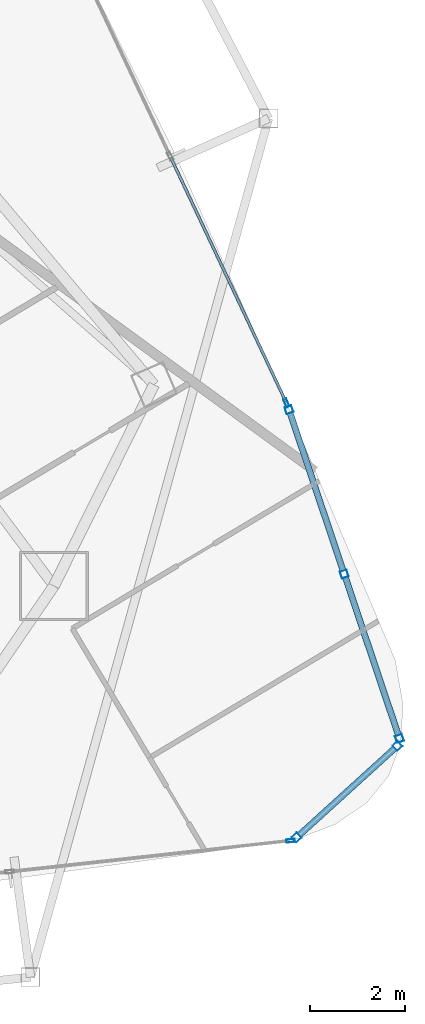
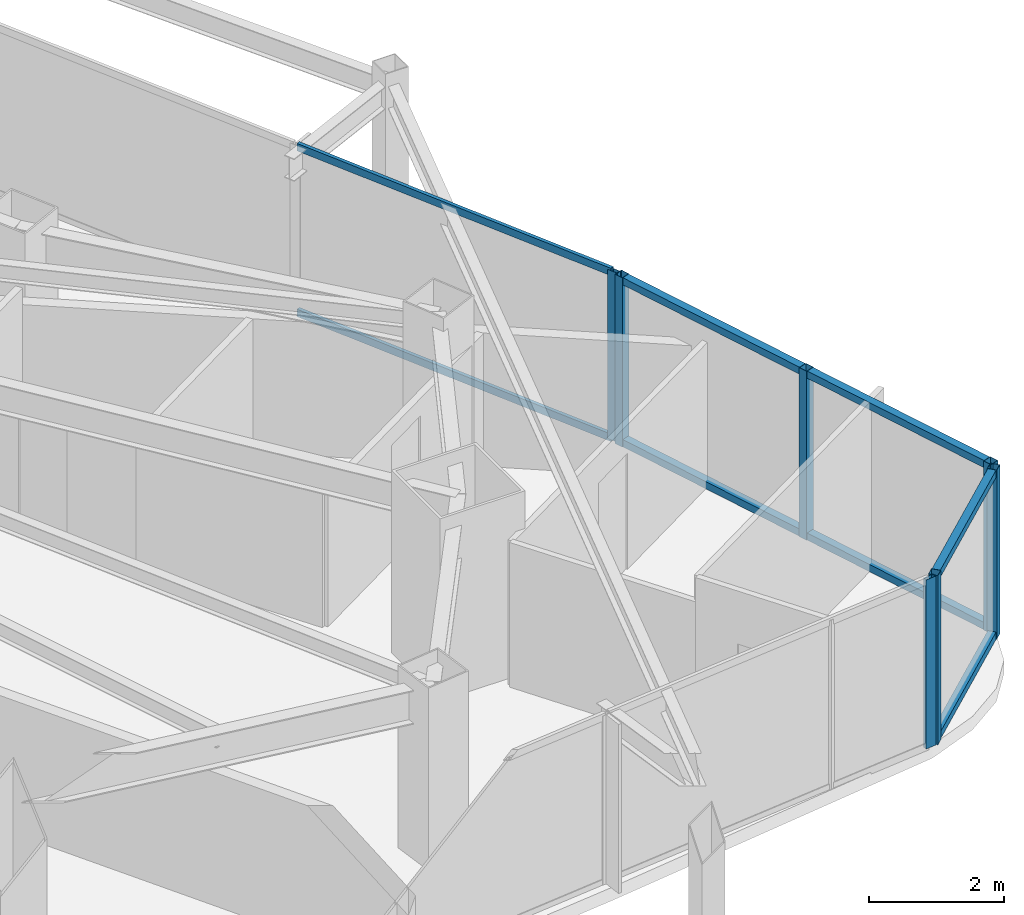
# One storey, part 14 of 33: 15 members, 4 elements without a shape of their own.
"""IFC4 building model written with IfcOpenShell, lengths in metres."""

from ifc_helpers import new_model, si_unit, direction, frame, origin, origin_2d, place, context, subcontext, project, spatial, hollow_rectangle, extrude, material, layer, layer_set, material_profile, profile_set, type_object, element, aggregate, save


model = new_model("IFC4")

# Units and contexts
model_context = context("Model", 3, precision=1e-05, world=origin(), true_north=direction((0.0, 1.0)))
body_context = subcontext(model_context, "Body", "Model", "MODEL_VIEW")
ifc_project = project(units=[si_unit("LENGTHUNIT", "METRE"), si_unit("AREAUNIT", "SQUARE_METRE"), si_unit("VOLUMEUNIT", "CUBIC_METRE"), si_unit("PLANEANGLEUNIT", "RADIAN"), si_unit("MASSUNIT", "GRAM", prefix="KILO")], contexts=[model_context])

# Site, building, storey
site_placement = place(None, origin())
site = spatial("IfcSite", under=ifc_project, at=site_placement, CompositionType="ELEMENT")
building_placement = place(site_placement, origin())
building = spatial("IfcBuilding", under=site, at=building_placement, Name="Orvanel Arch Residences", CompositionType="ELEMENT")
storey_placement = place(building_placement, frame((0.0, 0.0, 116.60009765625)))
storey = spatial("IfcBuildingStorey", under=building, at=storey_placement, Name="L32", CompositionType="ELEMENT", Elevation=116.60009765625)

# Curtain wall, members
ifc_material = material(Name="Bronze-anodised aluminium AA6063-T6", Category="aluminium")
ifc_layer_1 = layer(ifc_material, 0.18994140625)
ifc_layer_set_1 = layer_set([ifc_layer_1], Name="Bronze-anodised aluminium AA6063-T6")
curtain_wall_type_1 = type_object("IfcCurtainWallType", Name="CW5-CRN-SYS", PredefinedType="NOTDEFINED", material=ifc_layer_set_1)
curtain_wall_1_placement = place(storey_placement, origin())
curtain_wall_1 = element("IfcCurtainWall", 1, at=curtain_wall_1_placement, inside=storey, type_object=curtain_wall_type_1, Name="L32 CW5-CRN-SYS Unitised Curtain Wall", PredefinedType="NOTDEFINED")
ifc_material_profile_1 = material_profile(ifc_material, hollow_rectangle(XDim=0.14990234375, YDim=0.14990234375, WallThickness=0.0048828125, at=origin_2d()), Name="ALU150x150x5")
ifc_profile_set_1 = profile_set([ifc_material_profile_1], Name="Bronze-anodised aluminium AA6063-T6")
member_type_1 = type_object("IfcMemberType", Name="MUL-150x150", PredefinedType="MULLION", material=ifc_profile_set_1)
member_1_placement = place(storey_placement, frame((56.905517578125, 5.0634765625, 0.0), z_axis=(0.0, 0.0, 1.0), x_axis=(-0.672474713141, 0.740120098488, 0.0)))
member_1 = element("IfcMember", 2, at=member_1_placement, type_object=member_type_1, Name="CW-S5 mullion 1", PredefinedType="MULLION", context=body_context, shape_type="SweptSolid", body=[
    extrude(hollow_rectangle(XDim=0.14990234375, YDim=0.14990234375, WallThickness=0.0048828125, at=origin_2d()), origin(), (0.0, 0.0, 1.0), 3.059814453125),
])
member_2_placement = place(storey_placement, frame((59.026611328125, 6.990478515625, 0.0), z_axis=(0.0, 0.0, 1.0), x_axis=(-0.672474713141, 0.740120098488, 0.0)))
member_2 = element("IfcMember", 3, at=member_2_placement, type_object=member_type_1, Name="CW-S5 mullion 2", PredefinedType="MULLION", context=body_context, shape_type="SweptSolid", body=[
    extrude(hollow_rectangle(XDim=0.14990234375, YDim=0.14990234375, WallThickness=0.0048828125, at=origin_2d()), origin(), (0.0, 0.0, 1.0), 3.059814453125),
])

curtain_wall_2_placement = place(storey_placement, origin())
curtain_wall_2 = element("IfcCurtainWall", 4, at=curtain_wall_2_placement, inside=storey, type_object=curtain_wall_type_1, Name="L32 CW5-CRN-SYS Unitised Curtain Wall", PredefinedType="NOTDEFINED")
member_3_placement = place(storey_placement, frame((59.067138671875, 7.14404296875, 0.0), z_axis=(0.0, 0.0, 1.0), x_axis=(-0.947955325497, -0.318403361888, 0.0)))
member_3 = element("IfcMember", 5, at=member_3_placement, type_object=member_type_1, Name="CW-S5 mullion 1", PredefinedType="MULLION", context=body_context, shape_type="SweptSolid", body=[
    extrude(hollow_rectangle(XDim=0.14990234375, YDim=0.14990234375, WallThickness=0.0048828125, at=origin_2d()), origin(), (0.0, 0.0, 1.0), 3.059814453125),
])
member_4_placement = place(storey_placement, frame((57.906005859375, 10.60107421875, 0.0), z_axis=(0.0, 0.0, 1.0), x_axis=(-0.947955325497, -0.318403361888, 0.0)))
member_4 = element("IfcMember", 6, at=member_4_placement, type_object=member_type_1, Name="CW-S5 mullion 2", PredefinedType="MULLION", context=body_context, shape_type="SweptSolid", body=[
    extrude(hollow_rectangle(XDim=0.14990234375, YDim=0.14990234375, WallThickness=0.0048828125, at=origin_2d()), origin(), (0.0, 0.0, 1.0), 3.059814453125),
])
member_5_placement = place(storey_placement, frame((56.744873046875, 14.057861328125, 0.0), z_axis=(0.0, 0.0, 1.0), x_axis=(-0.947955325497, -0.318403361888, 0.0)))
member_5 = element("IfcMember", 7, at=member_5_placement, type_object=member_type_1, Name="CW-S5 mullion 3", PredefinedType="MULLION", context=body_context, shape_type="SweptSolid", body=[
    extrude(hollow_rectangle(XDim=0.14990234375, YDim=0.14990234375, WallThickness=0.0048828125, at=origin_2d()), origin(), (0.0, 0.0, 1.0), 3.059814453125),
])

# Curtain wall, member
ifc_layer_2 = layer(ifc_material, 0.179931640625)
ifc_layer_set_2 = layer_set([ifc_layer_2], Name="Bronze-anodised aluminium AA6063-T6")
curtain_wall_type_2 = type_object("IfcCurtainWallType", Name="CW3-MID-SYS", PredefinedType="NOTDEFINED", material=ifc_layer_set_2)
curtain_wall_3_placement = place(storey_placement, origin())
curtain_wall_3 = element("IfcCurtainWall", 8, at=curtain_wall_3_placement, inside=storey, type_object=curtain_wall_type_2, Name="L32 CW3-MID-SYS Unitised Curtain Wall", PredefinedType="NOTDEFINED")
ifc_material_profile_2 = material_profile(ifc_material, hollow_rectangle(XDim=0.070068359375, YDim=0.179931640625, WallThickness=0.00439453125, at=origin_2d()), Name="ALU180x70x4.5")
ifc_profile_set_2 = profile_set([ifc_material_profile_2], Name="Bronze-anodised aluminium AA6063-T6")
member_type_2 = type_object("IfcMemberType", Name="MUL-180x70", PredefinedType="MULLION", material=ifc_profile_set_2)
member_6_placement = place(storey_placement, frame((56.7802734375, 4.994140625, 0.0), z_axis=(0.0, 0.0, 1.0), x_axis=(-0.109397745116, 0.99399805501, 0.0)))
member_6 = element("IfcMember", 9, at=member_6_placement, type_object=member_type_2, Name="CW-S3 mullion 4", PredefinedType="MULLION", context=body_context, shape_type="SweptSolid", body=[
    extrude(hollow_rectangle(XDim=0.070068359375, YDim=0.179931640625, WallThickness=0.00439453125, at=origin_2d()), origin(), (0.0, 0.0, 1.0), 3.059814453125),
])
aggregate(curtain_wall_3, [member_6])

curtain_wall_4_placement = place(storey_placement, origin())
curtain_wall_4 = element("IfcCurtainWall", 10, at=curtain_wall_4_placement, inside=storey, type_object=curtain_wall_type_2, Name="L32 CW3-MID-SYS Unitised Curtain Wall", PredefinedType="NOTDEFINED")
member_7_placement = place(storey_placement, frame((56.691162109375, 14.19775390625, 0.0), z_axis=(0.0, 0.0, 1.0), x_axis=(-0.904551426474, -0.426364535184, 0.0)))
member_7 = element("IfcMember", 11, at=member_7_placement, type_object=member_type_2, Name="CW-S3 mullion 1", PredefinedType="MULLION", context=body_context, shape_type="SweptSolid", body=[
    extrude(hollow_rectangle(XDim=0.070068359375, YDim=0.179931640625, WallThickness=0.00439453125, at=origin_2d()), origin(), (0.0, 0.0, 1.0), 3.059814453125),
])

# Member
ifc_material_profile_3 = material_profile(ifc_material, hollow_rectangle(XDim=0.1298828125, YDim=0.1298828125, WallThickness=0.00439453125, at=origin_2d()), Name="ALU130x130x4.5")
ifc_profile_set_3 = profile_set([ifc_material_profile_3], Name="Bronze-anodised aluminium AA6063-T6")
member_type_3 = type_object("IfcMemberType", Name="TRN-130x130", PredefinedType="USERDEFINED", material=ifc_profile_set_3)
member_8_placement = place(storey_placement, frame((56.9609375, 5.11376953125, 0.06494140625), z_axis=(0.740098689588, 0.672498274846, 0.0), x_axis=(-0.672498274846, 0.740098689588, 0.0)))
member_8 = element("IfcMember", 12, at=member_8_placement, type_object=member_type_3, Name="CW-S5 transom 1.1", ObjectType="TRANSOM", PredefinedType="USERDEFINED", context=body_context, shape_type="SweptSolid", body=[
    extrude(hollow_rectangle(XDim=0.1298828125, YDim=0.1298828125, WallThickness=0.00439453125, at=origin_2d()), origin(), (0.0, 0.0, 1.0), 2.7158203125),
])

member_9_placement = place(storey_placement, frame((56.9609375, 5.11376953125, 2.994873046875), z_axis=(0.740098689588, 0.672498274846, 0.0), x_axis=(-0.672498274846, 0.740098689588, 0.0)))
member_9 = element("IfcMember", 13, at=member_9_placement, type_object=member_type_3, Name="CW-S5 transom 1.2", ObjectType="TRANSOM", PredefinedType="USERDEFINED", context=body_context, shape_type="SweptSolid", body=[
    extrude(hollow_rectangle(XDim=0.1298828125, YDim=0.1298828125, WallThickness=0.00439453125, at=origin_2d()), origin(), (0.0, 0.0, 1.0), 2.7158203125),
])

aggregate(curtain_wall_1, [member_1, member_2, member_8, member_9])

member_10_placement = place(storey_placement, frame((59.043212890625, 7.215087890625, 0.06494140625), z_axis=(-0.318384421653, 0.947961687015, 0.0), x_axis=(-0.947961687015, -0.318384421653, 0.0)))
member_10 = element("IfcMember", 14, at=member_10_placement, type_object=member_type_3, Name="CW-S5 transom 1.1", ObjectType="TRANSOM", PredefinedType="USERDEFINED", context=body_context, shape_type="SweptSolid", body=[
    extrude(hollow_rectangle(XDim=0.1298828125, YDim=0.1298828125, WallThickness=0.00439453125, at=origin_2d()), origin(), (0.0, 0.0, 1.0), 3.49658203125),
])

member_11_placement = place(storey_placement, frame((59.043212890625, 7.215087890625, 2.994873046875), z_axis=(-0.318384421653, 0.947961687015, 0.0), x_axis=(-0.947961687015, -0.318384421653, 0.0)))
member_11 = element("IfcMember", 15, at=member_11_placement, type_object=member_type_3, Name="CW-S5 transom 1.2", ObjectType="TRANSOM", PredefinedType="USERDEFINED", context=body_context, shape_type="SweptSolid", body=[
    extrude(hollow_rectangle(XDim=0.1298828125, YDim=0.1298828125, WallThickness=0.00439453125, at=origin_2d()), origin(), (0.0, 0.0, 1.0), 3.49658203125),
])

member_12_placement = place(storey_placement, frame((57.882080078125, 10.672119140625, 0.06494140625), z_axis=(-0.318384421653, 0.947961687015, 0.0), x_axis=(-0.947961687015, -0.318384421653, 0.0)))
member_12 = element("IfcMember", 16, at=member_12_placement, type_object=member_type_3, Name="CW-S5 transom 2.1", ObjectType="TRANSOM", PredefinedType="USERDEFINED", context=body_context, shape_type="SweptSolid", body=[
    extrude(hollow_rectangle(XDim=0.1298828125, YDim=0.1298828125, WallThickness=0.00439453125, at=origin_2d()), origin(), (0.0, 0.0, 1.0), 3.49658203125),
])

member_13_placement = place(storey_placement, frame((57.882080078125, 10.672119140625, 2.994873046875), z_axis=(-0.318384421653, 0.947961687015, 0.0), x_axis=(-0.947961687015, -0.318384421653, 0.0)))
member_13 = element("IfcMember", 17, at=member_13_placement, type_object=member_type_3, Name="CW-S5 transom 2.2", ObjectType="TRANSOM", PredefinedType="USERDEFINED", context=body_context, shape_type="SweptSolid", body=[
    extrude(hollow_rectangle(XDim=0.1298828125, YDim=0.1298828125, WallThickness=0.00439453125, at=origin_2d()), origin(), (0.0, 0.0, 1.0), 3.49658203125),
])

aggregate(curtain_wall_2, [member_3, member_4, member_5, member_10, member_11, member_12, member_13])

ifc_material_profile_4 = material_profile(ifc_material, hollow_rectangle(XDim=0.06005859375, YDim=0.135009765625, WallThickness=0.00390625, at=origin_2d()), Name="ALU135x60x4")
ifc_profile_set_4 = profile_set([ifc_material_profile_4], Name="Bronze-anodised aluminium AA6063-T6")
member_type_4 = type_object("IfcMemberType", Name="TRN-135x60", PredefinedType="USERDEFINED", material=ifc_profile_set_4)
member_14_placement = place(storey_placement, frame((56.67626953125, 14.229248046875, 0.02978515625), z_axis=(-0.42637187979, 0.904547964524, 0.0), x_axis=(-0.904547964524, -0.42637187979, 0.0)))
member_14 = element("IfcMember", 18, at=member_14_placement, type_object=member_type_4, Name="CW-S3 transom 1.1", ObjectType="TRANSOM", PredefinedType="USERDEFINED", context=body_context, shape_type="SweptSolid", body=[
    extrude(hollow_rectangle(XDim=0.06005859375, YDim=0.135009765625, WallThickness=0.00390625, at=origin_2d()), origin(), (0.0, 0.0, 1.0), 5.664794921875),
])

member_15_placement = place(storey_placement, frame((56.67626953125, 14.229248046875, 3.02978515625), z_axis=(-0.42637187979, 0.904547964524, 0.0), x_axis=(-0.904547964524, -0.42637187979, 0.0)))
member_15 = element("IfcMember", 19, at=member_15_placement, type_object=member_type_4, Name="CW-S3 transom 1.2", ObjectType="TRANSOM", PredefinedType="USERDEFINED", context=body_context, shape_type="SweptSolid", body=[
    extrude(hollow_rectangle(XDim=0.06005859375, YDim=0.135009765625, WallThickness=0.00390625, at=origin_2d()), origin(), (0.0, 0.0, 1.0), 5.664794921875),
])

aggregate(curtain_wall_4, [member_7, member_14, member_15])

save(model, "model.ifc")
